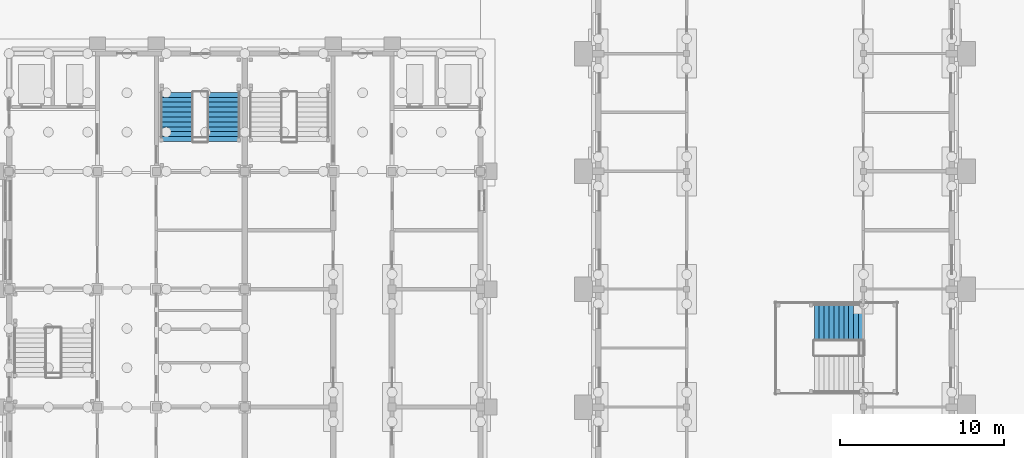
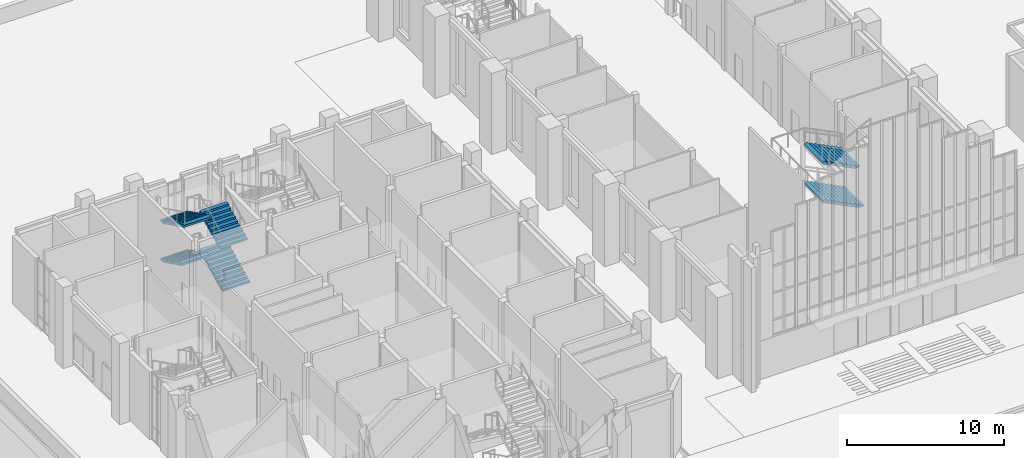
# One storey, part 61 of 84: 6 stair flights, 2 elements without a shape of their own.
"""IFC4 building model written with IfcOpenShell, lengths in metres."""

from ifc_helpers import new_model, si_unit, direction, frame, origin, place, context, subcontext, project, spatial, faceted_brep, material, type_object, element, aggregate, save


model = new_model("IFC4")

# Units and contexts
model_context = context("Model", 3, precision=1e-05, world=origin(), true_north=direction((0.0, 1.0)))
body_context = subcontext(model_context, "Body", "Model", "MODEL_VIEW")
ifc_project = project(units=[si_unit("LENGTHUNIT", "METRE"), si_unit("AREAUNIT", "SQUARE_METRE"), si_unit("VOLUMEUNIT", "CUBIC_METRE"), si_unit("PLANEANGLEUNIT", "RADIAN"), si_unit("MASSUNIT", "GRAM", prefix="KILO")], contexts=[model_context])

# Site, building, storey
site_placement = place(None, origin())
site = spatial("IfcSite", under=ifc_project, at=site_placement, CompositionType="ELEMENT")
building_placement = place(site_placement, origin())
building = spatial("IfcBuilding", under=site, at=building_placement, Name="Mazhai Court Health Centre", CompositionType="ELEMENT")
storey_placement = place(building_placement, origin())
storey = spatial("IfcBuildingStorey", under=building, at=storey_placement, Name="L00", CompositionType="ELEMENT", Elevation=0.0)

# Stair, stair flights
ifc_material_1 = material(Name="Concrete M40", Category="concrete")
stair_type_1 = type_object("IfcStairType", Name="RC STAIR 2000 42R", PredefinedType="DOUBLE_RETURN_STAIR", material=ifc_material_1)
stair_1_placement = place(storey_placement, origin())
stair_1 = element("IfcStair", 1, at=stair_1_placement, inside=storey, type_object=stair_type_1, Name="L00 Stair 3", PredefinedType="DOUBLE_RETURN_STAIR")
ifc_material_2 = material(Name="Concrete M40", Category="concrete")
stair_flight_type_1 = type_object("IfcStairFlightType", Name="RC STAIR FLIGHT 10R 2000", PredefinedType="STRAIGHT", material=ifc_material_2)
stair_flight_1_placement = place(storey_placement, frame((16.455078125, 39.824951171875, 1.64990234375), z_axis=(0.0, 0.0, 1.0), x_axis=(0.0, -1.0, 0.0)))
stair_flight_1 = element("IfcStairFlight", 2, at=stair_flight_1_placement, type_object=stair_flight_type_1, Name="ST3 flight 2", NumberOfRisers=10, NumberOfTreads=9, PredefinedType="STRAIGHT", RiserHeight=0.15, TreadLength=0.3, context=body_context, shape_type="Brep", body=[
    faceted_brep([(0.0, 1.0, 0.0), (0.0, 1.0, 0.14990234375), (0.300048828125, 1.0, 0.14990234375), (0.300048828125, 1.0, 0.300048828125), (0.60009765625, 1.0, 0.300048828125), (0.60009765625, 1.0, 0.449951171875), (0.89990234375, 1.0, 0.449951171875), (0.89990234375, 1.0, 0.60009765625), (1.199951171875, 1.0, 0.60009765625), (1.199951171875, 1.0, 0.75), (1.5, 1.0, 0.75), (1.5, 1.0, 0.89990234375), (1.800048828125, 1.0, 0.89990234375), (1.800048828125, 1.0, 1.050048828125), (2.10009765625, 1.0, 1.050048828125), (2.10009765625, 1.0, 1.199951171875), (2.39990234375, 1.0, 1.199951171875), (2.39990234375, 1.0, 1.35009765625), (2.699951171875, 1.0, 1.35009765625), (2.699951171875, 1.0, 1.182373046875), (0.335205078125, 1.0, 0.0), (0.335205078125, -1.0, 0.0), (2.699951171875, -1.0, 1.182373046875), (2.699951171875, -1.0, 1.35009765625), (2.39990234375, -1.0, 1.35009765625), (2.39990234375, -1.0, 1.199951171875), (2.10009765625, -1.0, 1.199951171875), (2.10009765625, -1.0, 1.050048828125), (1.800048828125, -1.0, 1.050048828125), (1.800048828125, -1.0, 0.89990234375), (1.5, -1.0, 0.89990234375), (1.5, -1.0, 0.75), (1.199951171875, -1.0, 0.75), (1.199951171875, -1.0, 0.60009765625), (0.89990234375, -1.0, 0.60009765625), (0.89990234375, -1.0, 0.449951171875), (0.60009765625, -1.0, 0.449951171875), (0.60009765625, -1.0, 0.300048828125), (0.300048828125, -1.0, 0.300048828125), (0.300048828125, -1.0, 0.14990234375), (0.0, -1.0, 0.14990234375), (0.0, -1.0, 0.0), (0.0, 0.0, 0.0), (0.0, 0.0, 0.14990234375), (0.300048828125, 0.0, 0.14990234375), (0.300048828125, 0.0, 0.300048828125), (0.60009765625, 0.0, 0.300048828125), (0.60009765625, 0.0, 0.449951171875), (0.89990234375, 0.0, 0.449951171875), (0.89990234375, 0.0, 0.60009765625), (1.199951171875, 0.0, 0.60009765625), (1.199951171875, 0.0, 0.75), (1.5, 0.0, 0.75), (1.5, 0.0, 0.89990234375), (1.800048828125, 0.0, 0.89990234375), (1.800048828125, 0.0, 1.050048828125), (2.10009765625, 0.0, 1.050048828125), (2.10009765625, 0.0, 1.199951171875), (2.39990234375, 0.0, 1.199951171875), (2.39990234375, 0.0, 1.35009765625), (2.699951171875, 0.0, 1.35009765625), (2.699951171875, 0.0, 1.182373046875), (0.335205078125, 0.0, 0.0)], [[[0, 1, 2, 3, 4, 5, 6, 7, 8, 9, 10, 11, 12, 13, 14, 15, 16, 17, 18, 19, 20]], [[21, 22, 23, 24, 25, 26, 27, 28, 29, 30, 31, 32, 33, 34, 35, 36, 37, 38, 39, 40, 41]], [[42, 43, 1, 0]], [[41, 40, 43, 42]], [[43, 44, 2, 1]], [[40, 39, 44, 43]], [[44, 45, 3, 2]], [[39, 38, 45, 44]], [[45, 46, 4, 3]], [[38, 37, 46, 45]], [[46, 47, 5, 4]], [[37, 36, 47, 46]], [[47, 48, 6, 5]], [[36, 35, 48, 47]], [[48, 49, 7, 6]], [[35, 34, 49, 48]], [[49, 50, 8, 7]], [[34, 33, 50, 49]], [[50, 51, 9, 8]], [[33, 32, 51, 50]], [[51, 52, 10, 9]], [[32, 31, 52, 51]], [[52, 53, 11, 10]], [[31, 30, 53, 52]], [[53, 54, 12, 11]], [[30, 29, 54, 53]], [[54, 55, 13, 12]], [[29, 28, 55, 54]], [[55, 56, 14, 13]], [[28, 27, 56, 55]], [[56, 57, 15, 14]], [[27, 26, 57, 56]], [[57, 58, 16, 15]], [[26, 25, 58, 57]], [[58, 59, 17, 16]], [[25, 24, 59, 58]], [[59, 60, 18, 17]], [[24, 23, 60, 59]], [[60, 61, 19, 18]], [[23, 22, 61, 60]], [[61, 62, 20, 19]], [[22, 21, 62, 61]], [[62, 42, 0, 20]], [[21, 41, 42, 62]]]),
])
stair_flight_2_placement = place(storey_placement, frame((19.304931640625, 37.125, 3.14990234375), z_axis=(0.0, 0.0, 1.0), x_axis=(0.0, 1.0, 0.0)))
stair_flight_2 = element("IfcStairFlight", 3, at=stair_flight_2_placement, type_object=stair_flight_type_1, Name="ST3 flight 3", NumberOfRisers=10, NumberOfTreads=9, PredefinedType="STRAIGHT", RiserHeight=0.15, TreadLength=0.3, context=body_context, shape_type="Brep", body=[
    faceted_brep([(0.0, 1.0, 0.0), (0.0, 1.0, 0.14990234375), (0.300048828125, 1.0, 0.14990234375), (0.300048828125, 1.0, 0.300048828125), (0.60009765625, 1.0, 0.300048828125), (0.60009765625, 1.0, 0.449951171875), (0.89990234375, 1.0, 0.449951171875), (0.89990234375, 1.0, 0.60009765625), (1.199951171875, 1.0, 0.60009765625), (1.199951171875, 1.0, 0.75), (1.5, 1.0, 0.75), (1.5, 1.0, 0.89990234375), (1.800048828125, 1.0, 0.89990234375), (1.800048828125, 1.0, 1.050048828125), (2.10009765625, 1.0, 1.050048828125), (2.10009765625, 1.0, 1.199951171875), (2.39990234375, 1.0, 1.199951171875), (2.39990234375, 1.0, 1.35009765625), (2.699951171875, 1.0, 1.35009765625), (2.699951171875, 1.0, 1.182373046875), (0.335205078125, 1.0, 0.0), (0.335205078125, -1.0, 0.0), (2.699951171875, -1.0, 1.182373046875), (2.699951171875, -1.0, 1.35009765625), (2.39990234375, -1.0, 1.35009765625), (2.39990234375, -1.0, 1.199951171875), (2.10009765625, -1.0, 1.199951171875), (2.10009765625, -1.0, 1.050048828125), (1.800048828125, -1.0, 1.050048828125), (1.800048828125, -1.0, 0.89990234375), (1.5, -1.0, 0.89990234375), (1.5, -1.0, 0.75), (1.199951171875, -1.0, 0.75), (1.199951171875, -1.0, 0.60009765625), (0.89990234375, -1.0, 0.60009765625), (0.89990234375, -1.0, 0.449951171875), (0.60009765625, -1.0, 0.449951171875), (0.60009765625, -1.0, 0.300048828125), (0.300048828125, -1.0, 0.300048828125), (0.300048828125, -1.0, 0.14990234375), (0.0, -1.0, 0.14990234375), (0.0, -1.0, 0.0), (0.0, 0.0, 0.0), (0.0, 0.0, 0.14990234375), (0.300048828125, 0.0, 0.14990234375), (0.300048828125, 0.0, 0.300048828125), (0.60009765625, 0.0, 0.300048828125), (0.60009765625, 0.0, 0.449951171875), (0.89990234375, 0.0, 0.449951171875), (0.89990234375, 0.0, 0.60009765625), (1.199951171875, 0.0, 0.60009765625), (1.199951171875, 0.0, 0.75), (1.5, 0.0, 0.75), (1.5, 0.0, 0.89990234375), (1.800048828125, 0.0, 0.89990234375), (1.800048828125, 0.0, 1.050048828125), (2.10009765625, 0.0, 1.050048828125), (2.10009765625, 0.0, 1.199951171875), (2.39990234375, 0.0, 1.199951171875), (2.39990234375, 0.0, 1.35009765625), (2.699951171875, 0.0, 1.35009765625), (2.699951171875, 0.0, 1.182373046875), (0.335205078125, 0.0, 0.0)], [[[0, 1, 2, 3, 4, 5, 6, 7, 8, 9, 10, 11, 12, 13, 14, 15, 16, 17, 18, 19, 20]], [[21, 22, 23, 24, 25, 26, 27, 28, 29, 30, 31, 32, 33, 34, 35, 36, 37, 38, 39, 40, 41]], [[42, 43, 1, 0]], [[41, 40, 43, 42]], [[43, 44, 2, 1]], [[40, 39, 44, 43]], [[44, 45, 3, 2]], [[39, 38, 45, 44]], [[45, 46, 4, 3]], [[38, 37, 46, 45]], [[46, 47, 5, 4]], [[37, 36, 47, 46]], [[47, 48, 6, 5]], [[36, 35, 48, 47]], [[48, 49, 7, 6]], [[35, 34, 49, 48]], [[49, 50, 8, 7]], [[34, 33, 50, 49]], [[50, 51, 9, 8]], [[33, 32, 51, 50]], [[51, 52, 10, 9]], [[32, 31, 52, 51]], [[52, 53, 11, 10]], [[31, 30, 53, 52]], [[53, 54, 12, 11]], [[30, 29, 54, 53]], [[54, 55, 13, 12]], [[29, 28, 55, 54]], [[55, 56, 14, 13]], [[28, 27, 56, 55]], [[56, 57, 15, 14]], [[27, 26, 57, 56]], [[57, 58, 16, 15]], [[26, 25, 58, 57]], [[58, 59, 17, 16]], [[25, 24, 59, 58]], [[59, 60, 18, 17]], [[24, 23, 60, 59]], [[60, 61, 19, 18]], [[23, 22, 61, 60]], [[61, 62, 20, 19]], [[22, 21, 62, 61]], [[62, 42, 0, 20]], [[21, 41, 42, 62]]]),
])

# Stair, stair flight
ifc_material_3 = material(Name="Concrete M40", Category="concrete")
stair_type_2 = type_object("IfcStairType", Name="RC STAIR 2400 42R", PredefinedType="DOUBLE_RETURN_STAIR", material=ifc_material_3)
stair_2_placement = place(storey_placement, origin())
stair_2 = element("IfcStair", 4, at=stair_2_placement, inside=storey, type_object=stair_type_2, Name="L00 Stair 13", PredefinedType="DOUBLE_RETURN_STAIR")
ifc_material_4 = material(Name="Concrete M40", Category="concrete")
stair_flight_type_2 = type_object("IfcStairFlightType", Name="RC STAIR FLIGHT 10R 2400", PredefinedType="STRAIGHT", material=ifc_material_4)
stair_flight_3_placement = place(storey_placement, frame((58.10009765625, 25.824951171875, 3.14990234375), z_axis=(0.0, 0.0, 1.0), x_axis=(-1.0, 0.0, 0.0)))
stair_flight_3 = element("IfcStairFlight", 5, at=stair_flight_3_placement, type_object=stair_flight_type_2, Name="ST13 flight 3", NumberOfRisers=10, NumberOfTreads=9, PredefinedType="STRAIGHT", RiserHeight=0.15, TreadLength=0.3, context=body_context, shape_type="Brep", body=[
    faceted_brep([(0.0, 1.199951171875, 0.0), (0.0, 1.199951171875, 0.14990234375), (0.300048828125, 1.199951171875, 0.14990234375), (0.300048828125, 1.199951171875, 0.300048828125), (0.60009765625, 1.199951171875, 0.300048828125), (0.60009765625, 1.199951171875, 0.449951171875), (0.89990234375, 1.199951171875, 0.449951171875), (0.89990234375, 1.199951171875, 0.60009765625), (1.199951171875, 1.199951171875, 0.60009765625), (1.199951171875, 1.199951171875, 0.75), (1.5, 1.199951171875, 0.75), (1.5, 1.199951171875, 0.89990234375), (1.800048828125, 1.199951171875, 0.89990234375), (1.800048828125, 1.199951171875, 1.050048828125), (2.10009765625, 1.199951171875, 1.050048828125), (2.10009765625, 1.199951171875, 1.199951171875), (2.39990234375, 1.199951171875, 1.199951171875), (2.39990234375, 1.199951171875, 1.35009765625), (2.699951171875, 1.199951171875, 1.35009765625), (2.699951171875, 1.199951171875, 1.182373046875), (0.335205078125, 1.199951171875, 0.0), (0.335205078125, -1.199951171875, 0.0), (2.699951171875, -1.199951171875, 1.182373046875), (2.699951171875, -1.199951171875, 1.35009765625), (2.39990234375, -1.199951171875, 1.35009765625), (2.39990234375, -1.199951171875, 1.199951171875), (2.10009765625, -1.199951171875, 1.199951171875), (2.10009765625, -1.199951171875, 1.050048828125), (1.800048828125, -1.199951171875, 1.050048828125), (1.800048828125, -1.199951171875, 0.89990234375), (1.5, -1.199951171875, 0.89990234375), (1.5, -1.199951171875, 0.75), (1.199951171875, -1.199951171875, 0.75), (1.199951171875, -1.199951171875, 0.60009765625), (0.89990234375, -1.199951171875, 0.60009765625), (0.89990234375, -1.199951171875, 0.449951171875), (0.60009765625, -1.199951171875, 0.449951171875), (0.60009765625, -1.199951171875, 0.300048828125), (0.300048828125, -1.199951171875, 0.300048828125), (0.300048828125, -1.199951171875, 0.14990234375), (0.0, -1.199951171875, 0.14990234375), (0.0, -1.199951171875, 0.0), (0.0, 0.60009765625, 0.0), (0.0, 0.60009765625, 0.14990234375), (0.0, 0.0, 0.0), (0.0, 0.0, 0.14990234375), (0.0, -0.60009765625, 0.0), (0.0, -0.60009765625, 0.14990234375), (0.300048828125, 0.60009765625, 0.14990234375), (0.300048828125, 0.0, 0.14990234375), (0.300048828125, -0.60009765625, 0.14990234375), (0.300048828125, 0.60009765625, 0.300048828125), (0.300048828125, 0.0, 0.300048828125), (0.300048828125, -0.60009765625, 0.300048828125), (0.60009765625, 0.60009765625, 0.300048828125), (0.60009765625, 0.0, 0.300048828125), (0.60009765625, -0.60009765625, 0.300048828125), (0.60009765625, 0.60009765625, 0.449951171875), (0.60009765625, 0.0, 0.449951171875), (0.60009765625, -0.60009765625, 0.449951171875), (0.89990234375, 0.60009765625, 0.449951171875), (0.89990234375, 0.0, 0.449951171875), (0.89990234375, -0.60009765625, 0.449951171875), (0.89990234375, 0.60009765625, 0.60009765625), (0.89990234375, 0.0, 0.60009765625), (0.89990234375, -0.60009765625, 0.60009765625), (1.199951171875, 0.60009765625, 0.60009765625), (1.199951171875, 0.0, 0.60009765625), (1.199951171875, -0.60009765625, 0.60009765625), (1.199951171875, 0.60009765625, 0.75), (1.199951171875, 0.0, 0.75), (1.199951171875, -0.60009765625, 0.75), (1.5, 0.60009765625, 0.75), (1.5, 0.0, 0.75), (1.5, -0.60009765625, 0.75), (1.5, 0.60009765625, 0.89990234375), (1.5, 0.0, 0.89990234375), (1.5, -0.60009765625, 0.89990234375), (1.800048828125, 0.60009765625, 0.89990234375), (1.800048828125, 0.0, 0.89990234375), (1.800048828125, -0.60009765625, 0.89990234375), (1.800048828125, 0.60009765625, 1.050048828125), (1.800048828125, 0.0, 1.050048828125), (1.800048828125, -0.60009765625, 1.050048828125), (2.10009765625, 0.60009765625, 1.050048828125), (2.10009765625, 0.0, 1.050048828125), (2.10009765625, -0.60009765625, 1.050048828125), (2.10009765625, 0.60009765625, 1.199951171875), (2.10009765625, 0.0, 1.199951171875), (2.10009765625, -0.60009765625, 1.199951171875), (2.39990234375, 0.60009765625, 1.199951171875), (2.39990234375, 0.0, 1.199951171875), (2.39990234375, -0.60009765625, 1.199951171875), (2.39990234375, 0.60009765625, 1.35009765625), (2.39990234375, 0.0, 1.35009765625), (2.39990234375, -0.60009765625, 1.35009765625), (2.699951171875, 0.60009765625, 1.35009765625), (2.699951171875, 0.0, 1.35009765625), (2.699951171875, -0.60009765625, 1.35009765625), (2.699951171875, 0.60009765625, 1.182373046875), (2.699951171875, 0.0, 1.182373046875), (2.699951171875, -0.60009765625, 1.182373046875), (0.335205078125, 0.60009765625, 0.0), (0.335205078125, 0.0, 0.0), (0.335205078125, -0.60009765625, 0.0)], [[[0, 1, 2, 3, 4, 5, 6, 7, 8, 9, 10, 11, 12, 13, 14, 15, 16, 17, 18, 19, 20]], [[21, 22, 23, 24, 25, 26, 27, 28, 29, 30, 31, 32, 33, 34, 35, 36, 37, 38, 39, 40, 41]], [[42, 43, 1, 0]], [[44, 45, 43, 42]], [[46, 47, 45, 44]], [[41, 40, 47, 46]], [[43, 48, 2, 1]], [[45, 49, 48, 43]], [[47, 50, 49, 45]], [[40, 39, 50, 47]], [[48, 51, 3, 2]], [[49, 52, 51, 48]], [[50, 53, 52, 49]], [[39, 38, 53, 50]], [[51, 54, 4, 3]], [[52, 55, 54, 51]], [[53, 56, 55, 52]], [[38, 37, 56, 53]], [[54, 57, 5, 4]], [[55, 58, 57, 54]], [[56, 59, 58, 55]], [[37, 36, 59, 56]], [[57, 60, 6, 5]], [[58, 61, 60, 57]], [[59, 62, 61, 58]], [[36, 35, 62, 59]], [[60, 63, 7, 6]], [[61, 64, 63, 60]], [[62, 65, 64, 61]], [[35, 34, 65, 62]], [[63, 66, 8, 7]], [[64, 67, 66, 63]], [[65, 68, 67, 64]], [[34, 33, 68, 65]], [[66, 69, 9, 8]], [[67, 70, 69, 66]], [[68, 71, 70, 67]], [[33, 32, 71, 68]], [[69, 72, 10, 9]], [[70, 73, 72, 69]], [[71, 74, 73, 70]], [[32, 31, 74, 71]], [[72, 75, 11, 10]], [[73, 76, 75, 72]], [[74, 77, 76, 73]], [[31, 30, 77, 74]], [[75, 78, 12, 11]], [[76, 79, 78, 75]], [[77, 80, 79, 76]], [[30, 29, 80, 77]], [[78, 81, 13, 12]], [[79, 82, 81, 78]], [[80, 83, 82, 79]], [[29, 28, 83, 80]], [[81, 84, 14, 13]], [[82, 85, 84, 81]], [[83, 86, 85, 82]], [[28, 27, 86, 83]], [[84, 87, 15, 14]], [[85, 88, 87, 84]], [[86, 89, 88, 85]], [[27, 26, 89, 86]], [[87, 90, 16, 15]], [[88, 91, 90, 87]], [[89, 92, 91, 88]], [[26, 25, 92, 89]], [[90, 93, 17, 16]], [[91, 94, 93, 90]], [[92, 95, 94, 91]], [[25, 24, 95, 92]], [[93, 96, 18, 17]], [[94, 97, 96, 93]], [[95, 98, 97, 94]], [[24, 23, 98, 95]], [[96, 99, 19, 18]], [[97, 100, 99, 96]], [[98, 101, 100, 97]], [[23, 22, 101, 98]], [[99, 102, 20, 19]], [[100, 103, 102, 99]], [[101, 104, 103, 100]], [[22, 21, 104, 101]], [[102, 42, 0, 20]], [[103, 44, 42, 102]], [[104, 46, 44, 103]], [[21, 41, 46, 104]]]),
])

# Stair flight
ifc_material_5 = material(Name="Concrete M40", Category="concrete")
stair_flight_type_3 = type_object("IfcStairFlightType", Name="RC STAIR FLIGHT 11R 2000", PredefinedType="STRAIGHT", material=ifc_material_5)
stair_flight_4_placement = place(storey_placement, frame((19.304931640625, 36.824951171875, 0.0), z_axis=(0.0, 0.0, 1.0), x_axis=(0.0, 1.0, 0.0)))
stair_flight_4 = element("IfcStairFlight", 6, at=stair_flight_4_placement, type_object=stair_flight_type_3, Name="ST3 flight 1", NumberOfRisers=11, NumberOfTreads=10, PredefinedType="STRAIGHT", RiserHeight=0.15, TreadLength=0.3, context=body_context, shape_type="Brep", body=[
    faceted_brep([(0.0, 1.0, 0.0), (0.0, 1.0, 0.14990234375), (0.300048828125, 1.0, 0.14990234375), (0.300048828125, 1.0, 0.300048828125), (0.60009765625, 1.0, 0.300048828125), (0.60009765625, 1.0, 0.449951171875), (0.89990234375, 1.0, 0.449951171875), (0.89990234375, 1.0, 0.60009765625), (1.199951171875, 1.0, 0.60009765625), (1.199951171875, 1.0, 0.75), (1.5, 1.0, 0.75), (1.5, 1.0, 0.89990234375), (1.800048828125, 1.0, 0.89990234375), (1.800048828125, 1.0, 1.050048828125), (2.10009765625, 1.0, 1.050048828125), (2.10009765625, 1.0, 1.199951171875), (2.39990234375, 1.0, 1.199951171875), (2.39990234375, 1.0, 1.35009765625), (2.699951171875, 1.0, 1.35009765625), (2.699951171875, 1.0, 1.5), (3.0, 1.0, 1.5), (3.0, 1.0, 1.33251953125), (0.335205078125, 1.0, 0.0), (0.335205078125, -1.0, 0.0), (3.0, -1.0, 1.33251953125), (3.0, -1.0, 1.5), (2.699951171875, -1.0, 1.5), (2.699951171875, -1.0, 1.35009765625), (2.39990234375, -1.0, 1.35009765625), (2.39990234375, -1.0, 1.199951171875), (2.10009765625, -1.0, 1.199951171875), (2.10009765625, -1.0, 1.050048828125), (1.800048828125, -1.0, 1.050048828125), (1.800048828125, -1.0, 0.89990234375), (1.5, -1.0, 0.89990234375), (1.5, -1.0, 0.75), (1.199951171875, -1.0, 0.75), (1.199951171875, -1.0, 0.60009765625), (0.89990234375, -1.0, 0.60009765625), (0.89990234375, -1.0, 0.449951171875), (0.60009765625, -1.0, 0.449951171875), (0.60009765625, -1.0, 0.300048828125), (0.300048828125, -1.0, 0.300048828125), (0.300048828125, -1.0, 0.14990234375), (0.0, -1.0, 0.14990234375), (0.0, -1.0, 0.0), (0.0, 0.0, 0.0), (0.0, 0.0, 0.14990234375), (0.300048828125, 0.0, 0.14990234375), (0.300048828125, 0.0, 0.300048828125), (0.60009765625, 0.0, 0.300048828125), (0.60009765625, 0.0, 0.449951171875), (0.89990234375, 0.0, 0.449951171875), (0.89990234375, 0.0, 0.60009765625), (1.199951171875, 0.0, 0.60009765625), (1.199951171875, 0.0, 0.75), (1.5, 0.0, 0.75), (1.5, 0.0, 0.89990234375), (1.800048828125, 0.0, 0.89990234375), (1.800048828125, 0.0, 1.050048828125), (2.10009765625, 0.0, 1.050048828125), (2.10009765625, 0.0, 1.199951171875), (2.39990234375, 0.0, 1.199951171875), (2.39990234375, 0.0, 1.35009765625), (2.699951171875, 0.0, 1.35009765625), (2.699951171875, 0.0, 1.5), (3.0, 0.0, 1.5), (3.0, 0.0, 1.33251953125), (0.335205078125, 0.0, 0.0)], [[[0, 1, 2, 3, 4, 5, 6, 7, 8, 9, 10, 11, 12, 13, 14, 15, 16, 17, 18, 19, 20, 21, 22]], [[23, 24, 25, 26, 27, 28, 29, 30, 31, 32, 33, 34, 35, 36, 37, 38, 39, 40, 41, 42, 43, 44, 45]], [[46, 47, 1, 0]], [[45, 44, 47, 46]], [[47, 48, 2, 1]], [[44, 43, 48, 47]], [[48, 49, 3, 2]], [[43, 42, 49, 48]], [[49, 50, 4, 3]], [[42, 41, 50, 49]], [[50, 51, 5, 4]], [[41, 40, 51, 50]], [[51, 52, 6, 5]], [[40, 39, 52, 51]], [[52, 53, 7, 6]], [[39, 38, 53, 52]], [[53, 54, 8, 7]], [[38, 37, 54, 53]], [[54, 55, 9, 8]], [[37, 36, 55, 54]], [[55, 56, 10, 9]], [[36, 35, 56, 55]], [[56, 57, 11, 10]], [[35, 34, 57, 56]], [[57, 58, 12, 11]], [[34, 33, 58, 57]], [[58, 59, 13, 12]], [[33, 32, 59, 58]], [[59, 60, 14, 13]], [[32, 31, 60, 59]], [[60, 61, 15, 14]], [[31, 30, 61, 60]], [[61, 62, 16, 15]], [[30, 29, 62, 61]], [[62, 63, 17, 16]], [[29, 28, 63, 62]], [[63, 64, 18, 17]], [[28, 27, 64, 63]], [[64, 65, 19, 18]], [[27, 26, 65, 64]], [[65, 66, 20, 19]], [[26, 25, 66, 65]], [[66, 67, 21, 20]], [[25, 24, 67, 66]], [[67, 68, 22, 21]], [[24, 23, 68, 67]], [[68, 46, 0, 22]], [[23, 45, 46, 68]]]),
])

stair_flight_5_placement = place(storey_placement, frame((16.455078125, 39.824951171875, 4.64990234375), z_axis=(0.0, 0.0, 1.0), x_axis=(0.0, -1.0, 0.0)))
stair_flight_5 = element("IfcStairFlight", 7, at=stair_flight_5_placement, type_object=stair_flight_type_3, Name="ST3 flight 4", NumberOfRisers=11, NumberOfTreads=10, PredefinedType="STRAIGHT", RiserHeight=0.15, TreadLength=0.3, context=body_context, shape_type="Brep", body=[
    faceted_brep([(0.0, 1.0, 0.0), (0.0, 1.0, 0.14990234375), (0.300048828125, 1.0, 0.14990234375), (0.300048828125, 1.0, 0.300048828125), (0.60009765625, 1.0, 0.300048828125), (0.60009765625, 1.0, 0.449951171875), (0.89990234375, 1.0, 0.449951171875), (0.89990234375, 1.0, 0.60009765625), (1.199951171875, 1.0, 0.60009765625), (1.199951171875, 1.0, 0.75), (1.5, 1.0, 0.75), (1.5, 1.0, 0.89990234375), (1.800048828125, 1.0, 0.89990234375), (1.800048828125, 1.0, 1.050048828125), (2.10009765625, 1.0, 1.050048828125), (2.10009765625, 1.0, 1.199951171875), (2.39990234375, 1.0, 1.199951171875), (2.39990234375, 1.0, 1.35009765625), (2.699951171875, 1.0, 1.35009765625), (2.699951171875, 1.0, 1.5), (3.0, 1.0, 1.5), (3.0, 1.0, 1.33251953125), (0.335205078125, 1.0, 0.0), (0.335205078125, -1.0, 0.0), (3.0, -1.0, 1.33251953125), (3.0, -1.0, 1.5), (2.699951171875, -1.0, 1.5), (2.699951171875, -1.0, 1.35009765625), (2.39990234375, -1.0, 1.35009765625), (2.39990234375, -1.0, 1.199951171875), (2.10009765625, -1.0, 1.199951171875), (2.10009765625, -1.0, 1.050048828125), (1.800048828125, -1.0, 1.050048828125), (1.800048828125, -1.0, 0.89990234375), (1.5, -1.0, 0.89990234375), (1.5, -1.0, 0.75), (1.199951171875, -1.0, 0.75), (1.199951171875, -1.0, 0.60009765625), (0.89990234375, -1.0, 0.60009765625), (0.89990234375, -1.0, 0.449951171875), (0.60009765625, -1.0, 0.449951171875), (0.60009765625, -1.0, 0.300048828125), (0.300048828125, -1.0, 0.300048828125), (0.300048828125, -1.0, 0.14990234375), (0.0, -1.0, 0.14990234375), (0.0, -1.0, 0.0), (0.0, 0.0, 0.0), (0.0, 0.0, 0.14990234375), (0.300048828125, 0.0, 0.14990234375), (0.300048828125, 0.0, 0.300048828125), (0.60009765625, 0.0, 0.300048828125), (0.60009765625, 0.0, 0.449951171875), (0.89990234375, 0.0, 0.449951171875), (0.89990234375, 0.0, 0.60009765625), (1.199951171875, 0.0, 0.60009765625), (1.199951171875, 0.0, 0.75), (1.5, 0.0, 0.75), (1.5, 0.0, 0.89990234375), (1.800048828125, 0.0, 0.89990234375), (1.800048828125, 0.0, 1.050048828125), (2.10009765625, 0.0, 1.050048828125), (2.10009765625, 0.0, 1.199951171875), (2.39990234375, 0.0, 1.199951171875), (2.39990234375, 0.0, 1.35009765625), (2.699951171875, 0.0, 1.35009765625), (2.699951171875, 0.0, 1.5), (3.0, 0.0, 1.5), (3.0, 0.0, 1.33251953125), (0.335205078125, 0.0, 0.0)], [[[0, 1, 2, 3, 4, 5, 6, 7, 8, 9, 10, 11, 12, 13, 14, 15, 16, 17, 18, 19, 20, 21, 22]], [[23, 24, 25, 26, 27, 28, 29, 30, 31, 32, 33, 34, 35, 36, 37, 38, 39, 40, 41, 42, 43, 44, 45]], [[46, 47, 1, 0]], [[45, 44, 47, 46]], [[47, 48, 2, 1]], [[44, 43, 48, 47]], [[48, 49, 3, 2]], [[43, 42, 49, 48]], [[49, 50, 4, 3]], [[42, 41, 50, 49]], [[50, 51, 5, 4]], [[41, 40, 51, 50]], [[51, 52, 6, 5]], [[40, 39, 52, 51]], [[52, 53, 7, 6]], [[39, 38, 53, 52]], [[53, 54, 8, 7]], [[38, 37, 54, 53]], [[54, 55, 9, 8]], [[37, 36, 55, 54]], [[55, 56, 10, 9]], [[36, 35, 56, 55]], [[56, 57, 11, 10]], [[35, 34, 57, 56]], [[57, 58, 12, 11]], [[34, 33, 58, 57]], [[58, 59, 13, 12]], [[33, 32, 59, 58]], [[59, 60, 14, 13]], [[32, 31, 60, 59]], [[60, 61, 15, 14]], [[31, 30, 61, 60]], [[61, 62, 16, 15]], [[30, 29, 62, 61]], [[62, 63, 17, 16]], [[29, 28, 63, 62]], [[63, 64, 18, 17]], [[28, 27, 64, 63]], [[64, 65, 19, 18]], [[27, 26, 65, 64]], [[65, 66, 20, 19]], [[26, 25, 66, 65]], [[66, 67, 21, 20]], [[25, 24, 67, 66]], [[67, 68, 22, 21]], [[24, 23, 68, 67]], [[68, 46, 0, 22]], [[23, 45, 46, 68]]]),
])

aggregate(stair_1, [stair_flight_4, stair_flight_1, stair_flight_2, stair_flight_5])

ifc_material_6 = material(Name="Concrete M40", Category="concrete")
stair_flight_type_4 = type_object("IfcStairFlightType", Name="RC STAIR FLIGHT 11R 2400", PredefinedType="STRAIGHT", material=ifc_material_6)
stair_flight_6_placement = place(storey_placement, frame((58.39990234375, 25.824951171875, 0.0), z_axis=(0.0, 0.0, 1.0), x_axis=(-1.0, 0.0, 0.0)))
stair_flight_6 = element("IfcStairFlight", 8, at=stair_flight_6_placement, type_object=stair_flight_type_4, Name="ST13 flight 1", NumberOfRisers=11, NumberOfTreads=10, PredefinedType="STRAIGHT", RiserHeight=0.15, TreadLength=0.3, context=body_context, shape_type="Brep", body=[
    faceted_brep([(0.0, 1.199951171875, 0.0), (0.0, 1.199951171875, 0.14990234375), (0.300048828125, 1.199951171875, 0.14990234375), (0.300048828125, 1.199951171875, 0.300048828125), (0.60009765625, 1.199951171875, 0.300048828125), (0.60009765625, 1.199951171875, 0.449951171875), (0.89990234375, 1.199951171875, 0.449951171875), (0.89990234375, 1.199951171875, 0.60009765625), (1.199951171875, 1.199951171875, 0.60009765625), (1.199951171875, 1.199951171875, 0.75), (1.5, 1.199951171875, 0.75), (1.5, 1.199951171875, 0.89990234375), (1.800048828125, 1.199951171875, 0.89990234375), (1.800048828125, 1.199951171875, 1.050048828125), (2.10009765625, 1.199951171875, 1.050048828125), (2.10009765625, 1.199951171875, 1.199951171875), (2.39990234375, 1.199951171875, 1.199951171875), (2.39990234375, 1.199951171875, 1.35009765625), (2.699951171875, 1.199951171875, 1.35009765625), (2.699951171875, 1.199951171875, 1.5), (3.0, 1.199951171875, 1.5), (3.0, 1.199951171875, 1.33251953125), (0.335205078125, 1.199951171875, 0.0), (0.335205078125, -1.199951171875, 0.0), (3.0, -1.199951171875, 1.33251953125), (3.0, -1.199951171875, 1.5), (2.699951171875, -1.199951171875, 1.5), (2.699951171875, -1.199951171875, 1.35009765625), (2.39990234375, -1.199951171875, 1.35009765625), (2.39990234375, -1.199951171875, 1.199951171875), (2.10009765625, -1.199951171875, 1.199951171875), (2.10009765625, -1.199951171875, 1.050048828125), (1.800048828125, -1.199951171875, 1.050048828125), (1.800048828125, -1.199951171875, 0.89990234375), (1.5, -1.199951171875, 0.89990234375), (1.5, -1.199951171875, 0.75), (1.199951171875, -1.199951171875, 0.75), (1.199951171875, -1.199951171875, 0.60009765625), (0.89990234375, -1.199951171875, 0.60009765625), (0.89990234375, -1.199951171875, 0.449951171875), (0.60009765625, -1.199951171875, 0.449951171875), (0.60009765625, -1.199951171875, 0.300048828125), (0.300048828125, -1.199951171875, 0.300048828125), (0.300048828125, -1.199951171875, 0.14990234375), (0.0, -1.199951171875, 0.14990234375), (0.0, -1.199951171875, 0.0), (0.0, 0.60009765625, 0.0), (0.0, 0.60009765625, 0.14990234375), (0.0, 0.0, 0.0), (0.0, 0.0, 0.14990234375), (0.0, -0.60009765625, 0.0), (0.0, -0.60009765625, 0.14990234375), (0.300048828125, 0.60009765625, 0.14990234375), (0.300048828125, 0.0, 0.14990234375), (0.300048828125, -0.60009765625, 0.14990234375), (0.300048828125, 0.60009765625, 0.300048828125), (0.300048828125, 0.0, 0.300048828125), (0.300048828125, -0.60009765625, 0.300048828125), (0.60009765625, 0.60009765625, 0.300048828125), (0.60009765625, 0.0, 0.300048828125), (0.60009765625, -0.60009765625, 0.300048828125), (0.60009765625, 0.60009765625, 0.449951171875), (0.60009765625, 0.0, 0.449951171875), (0.60009765625, -0.60009765625, 0.449951171875), (0.89990234375, 0.60009765625, 0.449951171875), (0.89990234375, 0.0, 0.449951171875), (0.89990234375, -0.60009765625, 0.449951171875), (0.89990234375, 0.60009765625, 0.60009765625), (0.89990234375, 0.0, 0.60009765625), (0.89990234375, -0.60009765625, 0.60009765625), (1.199951171875, 0.60009765625, 0.60009765625), (1.199951171875, 0.0, 0.60009765625), (1.199951171875, -0.60009765625, 0.60009765625), (1.199951171875, 0.60009765625, 0.75), (1.199951171875, 0.0, 0.75), (1.199951171875, -0.60009765625, 0.75), (1.5, 0.60009765625, 0.75), (1.5, 0.0, 0.75), (1.5, -0.60009765625, 0.75), (1.5, 0.60009765625, 0.89990234375), (1.5, 0.0, 0.89990234375), (1.5, -0.60009765625, 0.89990234375), (1.800048828125, 0.60009765625, 0.89990234375), (1.800048828125, 0.0, 0.89990234375), (1.800048828125, -0.60009765625, 0.89990234375), (1.800048828125, 0.60009765625, 1.050048828125), (1.800048828125, 0.0, 1.050048828125), (1.800048828125, -0.60009765625, 1.050048828125), (2.10009765625, 0.60009765625, 1.050048828125), (2.10009765625, 0.0, 1.050048828125), (2.10009765625, -0.60009765625, 1.050048828125), (2.10009765625, 0.60009765625, 1.199951171875), (2.10009765625, 0.0, 1.199951171875), (2.10009765625, -0.60009765625, 1.199951171875), (2.39990234375, 0.60009765625, 1.199951171875), (2.39990234375, 0.0, 1.199951171875), (2.39990234375, -0.60009765625, 1.199951171875), (2.39990234375, 0.60009765625, 1.35009765625), (2.39990234375, 0.0, 1.35009765625), (2.39990234375, -0.60009765625, 1.35009765625), (2.699951171875, 0.60009765625, 1.35009765625), (2.699951171875, 0.0, 1.35009765625), (2.699951171875, -0.60009765625, 1.35009765625), (2.699951171875, 0.60009765625, 1.5), (2.699951171875, 0.0, 1.5), (2.699951171875, -0.60009765625, 1.5), (3.0, 0.60009765625, 1.5), (3.0, 0.0, 1.5), (3.0, -0.60009765625, 1.5), (3.0, 0.60009765625, 1.33251953125), (3.0, 0.0, 1.33251953125), (3.0, -0.60009765625, 1.33251953125), (0.335205078125, 0.60009765625, 0.0), (0.335205078125, 0.0, 0.0), (0.335205078125, -0.60009765625, 0.0)], [[[0, 1, 2, 3, 4, 5, 6, 7, 8, 9, 10, 11, 12, 13, 14, 15, 16, 17, 18, 19, 20, 21, 22]], [[23, 24, 25, 26, 27, 28, 29, 30, 31, 32, 33, 34, 35, 36, 37, 38, 39, 40, 41, 42, 43, 44, 45]], [[46, 47, 1, 0]], [[48, 49, 47, 46]], [[50, 51, 49, 48]], [[45, 44, 51, 50]], [[47, 52, 2, 1]], [[49, 53, 52, 47]], [[51, 54, 53, 49]], [[44, 43, 54, 51]], [[52, 55, 3, 2]], [[53, 56, 55, 52]], [[54, 57, 56, 53]], [[43, 42, 57, 54]], [[55, 58, 4, 3]], [[56, 59, 58, 55]], [[57, 60, 59, 56]], [[42, 41, 60, 57]], [[58, 61, 5, 4]], [[59, 62, 61, 58]], [[60, 63, 62, 59]], [[41, 40, 63, 60]], [[61, 64, 6, 5]], [[62, 65, 64, 61]], [[63, 66, 65, 62]], [[40, 39, 66, 63]], [[64, 67, 7, 6]], [[65, 68, 67, 64]], [[66, 69, 68, 65]], [[39, 38, 69, 66]], [[67, 70, 8, 7]], [[68, 71, 70, 67]], [[69, 72, 71, 68]], [[38, 37, 72, 69]], [[70, 73, 9, 8]], [[71, 74, 73, 70]], [[72, 75, 74, 71]], [[37, 36, 75, 72]], [[73, 76, 10, 9]], [[74, 77, 76, 73]], [[75, 78, 77, 74]], [[36, 35, 78, 75]], [[76, 79, 11, 10]], [[77, 80, 79, 76]], [[78, 81, 80, 77]], [[35, 34, 81, 78]], [[79, 82, 12, 11]], [[80, 83, 82, 79]], [[81, 84, 83, 80]], [[34, 33, 84, 81]], [[82, 85, 13, 12]], [[83, 86, 85, 82]], [[84, 87, 86, 83]], [[33, 32, 87, 84]], [[85, 88, 14, 13]], [[86, 89, 88, 85]], [[87, 90, 89, 86]], [[32, 31, 90, 87]], [[88, 91, 15, 14]], [[89, 92, 91, 88]], [[90, 93, 92, 89]], [[31, 30, 93, 90]], [[91, 94, 16, 15]], [[92, 95, 94, 91]], [[93, 96, 95, 92]], [[30, 29, 96, 93]], [[94, 97, 17, 16]], [[95, 98, 97, 94]], [[96, 99, 98, 95]], [[29, 28, 99, 96]], [[97, 100, 18, 17]], [[98, 101, 100, 97]], [[99, 102, 101, 98]], [[28, 27, 102, 99]], [[100, 103, 19, 18]], [[101, 104, 103, 100]], [[102, 105, 104, 101]], [[27, 26, 105, 102]], [[103, 106, 20, 19]], [[104, 107, 106, 103]], [[105, 108, 107, 104]], [[26, 25, 108, 105]], [[106, 109, 21, 20]], [[107, 110, 109, 106]], [[108, 111, 110, 107]], [[25, 24, 111, 108]], [[109, 112, 22, 21]], [[110, 113, 112, 109]], [[111, 114, 113, 110]], [[24, 23, 114, 111]], [[112, 46, 0, 22]], [[113, 48, 46, 112]], [[114, 50, 48, 113]], [[23, 45, 50, 114]]]),
])

aggregate(stair_2, [stair_flight_6, stair_flight_3])

save(model, "model.ifc")
